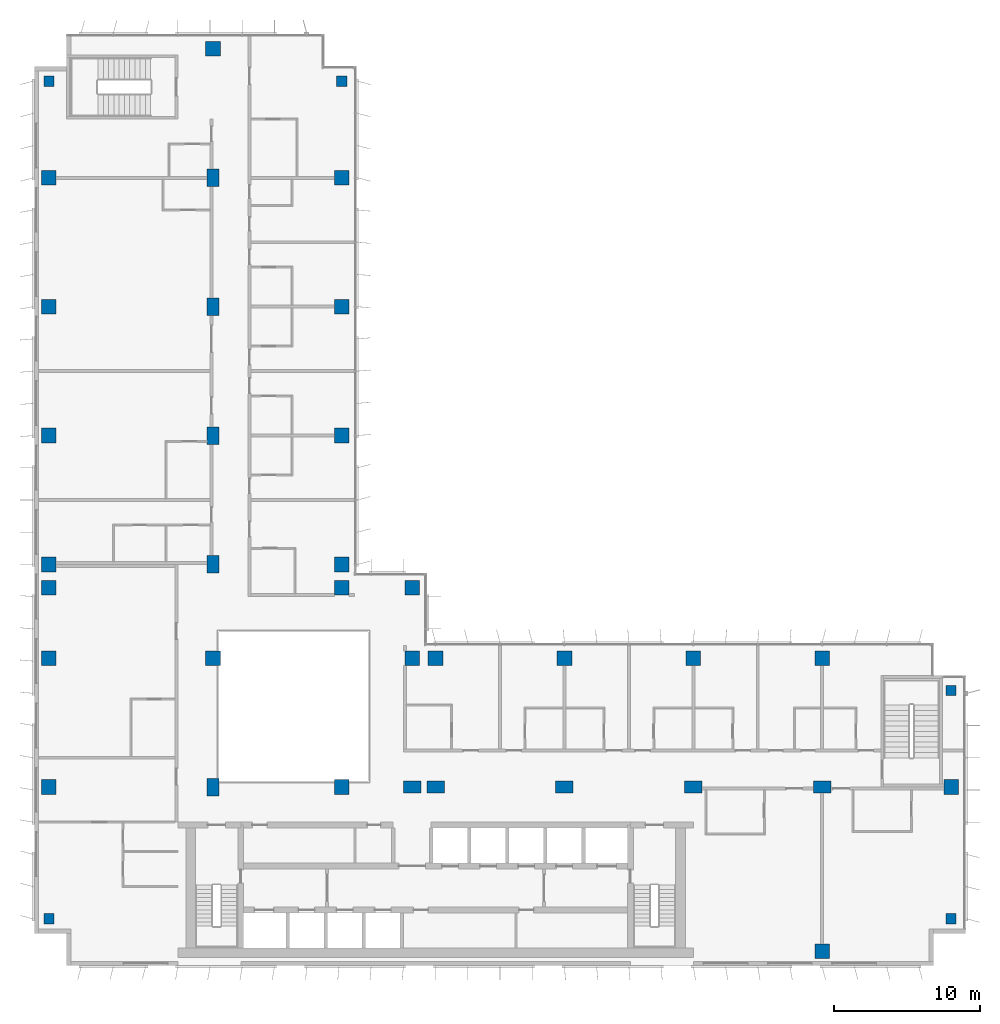
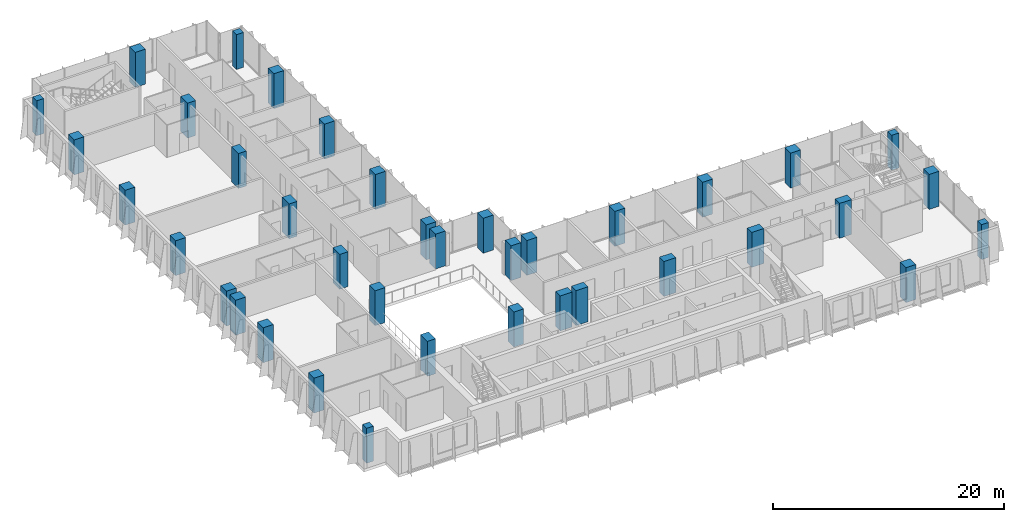
# One storey, part 1 of 21: 38 columns.
"""IFC4 building model written with IfcOpenShell, lengths in metres."""

from ifc_helpers import new_model, si_unit, direction, frame, origin, origin_2d, place, context, subcontext, project, spatial, rectangle, extrude, material, material_profile, profile_set, type_object, element, save


model = new_model("IFC4")

# Units and contexts
model_context = context("Model", 3, precision=1e-05, world=origin(), true_north=direction((0.0, 1.0)))
body_context = subcontext(model_context, "Body", "Model", "MODEL_VIEW")
ifc_project = project(units=[si_unit("LENGTHUNIT", "METRE"), si_unit("AREAUNIT", "SQUARE_METRE"), si_unit("VOLUMEUNIT", "CUBIC_METRE"), si_unit("PLANEANGLEUNIT", "RADIAN"), si_unit("MASSUNIT", "GRAM", prefix="KILO")], contexts=[model_context])

# Site, building, storey
site_placement = place(None, origin())
site = spatial("IfcSite", under=ifc_project, at=site_placement, CompositionType="ELEMENT")
building_placement = place(site_placement, origin())
building = spatial("IfcBuilding", under=site, at=building_placement, Name="Kemantara Hotel Tower", CompositionType="ELEMENT")
storey_placement = place(building_placement, frame((0.0, 0.0, 215.39990234375)))
storey = spatial("IfcBuildingStorey", under=building, at=storey_placement, Name="L53", CompositionType="ELEMENT", Elevation=215.39990234375)

# Columns
ifc_material = material(Name="Concrete fc 60 MPa", Category="concrete")
ifc_material_profile_1 = material_profile(ifc_material, rectangle(XDim=1.0, YDim=1.0, at=origin_2d()), Name="RC 1000X1000")
ifc_profile_set_1 = profile_set([ifc_material_profile_1], Name="Concrete fc 60 MPa")
column_type_1 = type_object("IfcColumnType", Name="RC COLUMN 1000X1000 FC60", PredefinedType="COLUMN", material=ifc_profile_set_1)
for number, where, z_axis, x_axis, name in (
    (1, (1.0, 12.199951171875, 0.0), (0.0, 0.0, 1.0), (1.0, 0.0, 0.0), "COLUMN 1/BA L53"),
    (2, (1.0, 21.0, 0.0), (0.0, 0.0, 1.0), (1.0, 0.0, 0.0), "COLUMN 1/C L53"),
    (3, (1.0, 25.800048828125, 0.0), (0.0, 0.0, 1.0), (1.0, 0.0, 0.0), "COLUMN 1/CA L53"),
    (4, (1.0, 27.39990234375, 0.0), (0.0, 0.0, 1.0), (1.0, 0.0, 0.0), "COLUMN 1/D L53"),
    (5, (1.0, 36.199951171875, 0.0), (0.0, 0.0, 1.0), (1.0, 0.0, 0.0), "COLUMN 1/E L53"),
    (6, (1.0, 45.0, 0.0), (0.0, 0.0, 1.0), (1.0, 0.0, 0.0), "COLUMN 1/F L53"),
    (7, (1.0, 53.800048828125, 0.0), (0.0, 0.0, 1.0), (1.0, 0.0, 0.0), "COLUMN 1/G L53"),
    (8, (12.199951171875, 21.0, 0.0), (0.0, 0.0, 1.0), (1.0, 0.0, 0.0), "COLUMN 2A/C L53"),
    (9, (12.199951171875, 62.60009765625, 0.0), (0.0, 0.0, 1.0), (1.0, 0.0, 0.0), "COLUMN 2A/H L53"),
    (10, (21.0, 12.199951171875, 0.0), (0.0, 0.0, 1.0), (1.0, 0.0, 0.0), "COLUMN 3/BA L53"),
    (11, (21.0, 25.800048828125, 0.0), (0.0, 0.0, 1.0), (1.0, 0.0, 0.0), "COLUMN 3/CA L53"),
    (12, (21.0, 27.39990234375, 0.0), (0.0, 0.0, 1.0), (1.0, 0.0, 0.0), "COLUMN 3/D L53"),
    (13, (21.0, 36.199951171875, 0.0), (0.0, 0.0, 1.0), (1.0, 0.0, 0.0), "COLUMN 3/E L53"),
    (14, (21.0, 45.0, 0.0), (0.0, 0.0, 1.0), (1.0, 0.0, 0.0), "COLUMN 3/F L53"),
    (15, (21.0, 53.800048828125, 0.0), (0.0, 0.0, 1.0), (1.0, 0.0, 0.0), "COLUMN 3/G L53"),
    (16, (25.800048828125, 21.0, 0.0), (0.0, 0.0, 1.0), (1.0, 0.0, 0.0), "COLUMN 3A/C L53"),
    (17, (25.800048828125, 25.800048828125, 0.0), (0.0, 0.0, 1.0), (1.0, 0.0, 0.0), "COLUMN 3A/CA L53"),
    (18, (27.39990234375, 21.0, 0.0), (0.0, 0.0, 1.0), (1.0, 0.0, 0.0), "COLUMN 4/C L53"),
    (19, (36.199951171875, 21.0, 0.0), (0.0, 0.0, 1.0), (1.0, 0.0, 0.0), "COLUMN 5/C L53"),
    (20, (45.0, 21.0, 0.0), (0.0, 0.0, 1.0), (1.0, 0.0, 0.0), "COLUMN 6/C L53"),
    (21, (53.800048828125, 1.0, 0.0), (0.0, 0.0, 1.0), (1.0, 0.0, 0.0), "COLUMN 7/A L53"),
    (22, (53.800048828125, 21.0, 0.0), (0.0, 0.0, 1.0), (1.0, 0.0, 0.0), "COLUMN 7/C L53"),
    (23, (62.60009765625, 12.199951171875, 0.0), (0.0, 0.0, 1.0), (1.0, 0.0, 0.0), "COLUMN 8/BA L53"),
):
    element("IfcColumn", number, at=place(storey_placement, frame(where, z_axis=z_axis, x_axis=x_axis)), inside=storey, type_object=column_type_1, Name=name, PredefinedType="COLUMN", context=body_context, shape_type="SweptSolid", body=[
        extrude(rectangle(XDim=1.0, YDim=1.0, at=origin_2d()), origin(), (0.0, 0.0, 1.0), 3.7001953125),
    ])
ifc_material_profile_2 = material_profile(ifc_material, rectangle(XDim=1.199951171875, YDim=0.800048828125, at=origin_2d()), Name="RC 1200X800")
ifc_profile_set_2 = profile_set([ifc_material_profile_2], Name="Concrete fc 60 MPa")
column_type_2 = type_object("IfcColumnType", Name="RC COLUMN 1200X800 FC60", PredefinedType="COLUMN", material=ifc_profile_set_2)
for number, where, z_axis, x_axis, name in (
    (24, (12.199951171875, 12.199951171875, 0.0), (0.0, 0.0, 1.0), (0.0, 1.0, 0.0), "COLUMN 2A/BA L53"),
    (25, (12.199951171875, 27.39990234375, 0.0), (0.0, 0.0, 1.0), (0.0, 1.0, 0.0), "COLUMN 2A/D L53"),
    (26, (12.199951171875, 36.199951171875, 0.0), (0.0, 0.0, 1.0), (0.0, 1.0, 0.0), "COLUMN 2A/E L53"),
    (27, (12.199951171875, 45.0, 0.0), (0.0, 0.0, 1.0), (0.0, 1.0, 0.0), "COLUMN 2A/F L53"),
    (28, (12.199951171875, 53.800048828125, 0.0), (0.0, 0.0, 1.0), (0.0, 1.0, 0.0), "COLUMN 2A/G L53"),
    (29, (25.800048828125, 12.199951171875, 0.0), (0.0, 0.0, 1.0), (1.0, 0.0, 0.0), "COLUMN 3A/BA L53"),
    (30, (27.39990234375, 12.199951171875, 0.0), (0.0, 0.0, 1.0), (1.0, 0.0, 0.0), "COLUMN 4/BA L53"),
    (31, (36.199951171875, 12.199951171875, 0.0), (0.0, 0.0, 1.0), (1.0, 0.0, 0.0), "COLUMN 5/BA L53"),
    (32, (45.0, 12.199951171875, 0.0), (0.0, 0.0, 1.0), (1.0, 0.0, 0.0), "COLUMN 6/BA L53"),
    (33, (53.800048828125, 12.199951171875, 0.0), (0.0, 0.0, 1.0), (1.0, 0.0, 0.0), "COLUMN 7/BA L53"),
):
    element("IfcColumn", number, at=place(storey_placement, frame(where, z_axis=z_axis, x_axis=x_axis)), inside=storey, type_object=column_type_2, Name=name, PredefinedType="COLUMN", context=body_context, shape_type="SweptSolid", body=[
        extrude(rectangle(XDim=1.199951171875, YDim=0.800048828125, at=origin_2d()), origin(), (0.0, 0.0, 1.0), 3.7001953125),
    ])
ifc_material_profile_3 = material_profile(ifc_material, rectangle(XDim=0.699951171875, YDim=0.699951171875, at=origin_2d()), Name="RC 700X700")
ifc_profile_set_3 = profile_set([ifc_material_profile_3], Name="Concrete fc 60 MPa")
column_type_3 = type_object("IfcColumnType", Name="RC COLUMN 700X700 FC60", PredefinedType="COLUMN", material=ifc_profile_set_3)
for number, where, z_axis, x_axis, name in (
    (34, (1.0, 3.199951171875, 0.0), (0.0, 0.0, 1.0), (1.0, 0.0, 0.0), "COLUMN notch corner L53"),
    (35, (1.0, 60.39990234375, 0.0), (0.0, 0.0, 1.0), (1.0, 0.0, 0.0), "COLUMN notch corner L53"),
    (36, (21.0, 60.39990234375, 0.0), (0.0, 0.0, 1.0), (1.0, 0.0, 0.0), "COLUMN notch corner L53"),
    (37, (62.60009765625, 3.199951171875, 0.0), (0.0, 0.0, 1.0), (1.0, 0.0, 0.0), "COLUMN notch corner L53"),
    (38, (62.60009765625, 18.800048828125, 0.0), (0.0, 0.0, 1.0), (1.0, 0.0, 0.0), "COLUMN notch corner L53"),
):
    element("IfcColumn", number, at=place(storey_placement, frame(where, z_axis=z_axis, x_axis=x_axis)), inside=storey, type_object=column_type_3, Name=name, PredefinedType="COLUMN", context=body_context, shape_type="SweptSolid", body=[
        extrude(rectangle(XDim=0.699951171875, YDim=0.699951171875, at=origin_2d()), origin(), (0.0, 0.0, 1.0), 3.7001953125),
    ])

save(model, "model.ifc")
